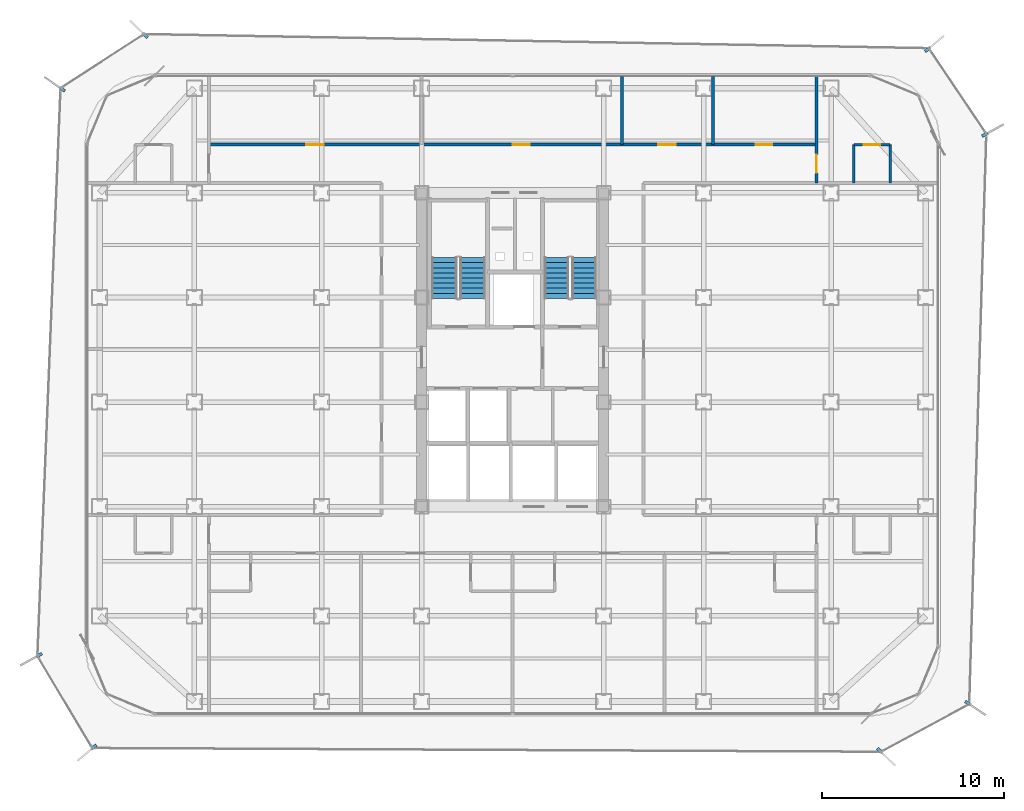
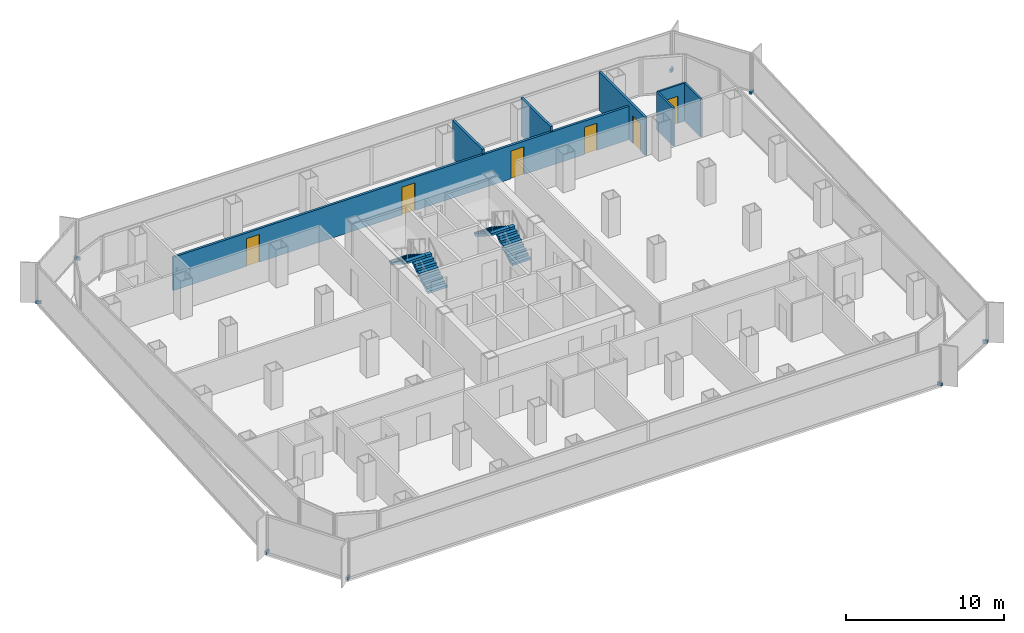
# One storey, part 18 of 21: 8 discrete accessories, 7 walls, 6 doors, 4 stair flights, 6 openings, 2 elements without a shape of their own.
"""IFC4 building model written with IfcOpenShell, lengths in metres."""

from ifc_helpers import new_model, si_unit, direction, frame, frame_2d, origin, origin_2d, place, context, subcontext, project, spatial, polyline, rectangle, outline, extrude, source, transform, mapped, material, layer, layer_set, type_object, element, fill, aggregate, save


model = new_model("IFC4")

# Units and contexts
model_context = context("Model", 3, precision=1e-05, world=origin(), true_north=direction((0.0, 1.0)))
body_context = subcontext(model_context, "Body", "Model", "MODEL_VIEW")
ifc_project = project(units=[si_unit("LENGTHUNIT", "METRE"), si_unit("AREAUNIT", "SQUARE_METRE"), si_unit("VOLUMEUNIT", "CUBIC_METRE"), si_unit("PLANEANGLEUNIT", "RADIAN"), si_unit("MASSUNIT", "GRAM", prefix="KILO")], contexts=[model_context])

# Site, building, storey
site_placement = place(None, origin())
site = spatial("IfcSite", under=ifc_project, at=site_placement, CompositionType="ELEMENT")
building_placement = place(site_placement, origin())
building = spatial("IfcBuilding", under=site, at=building_placement, Name="Kolveth Station Tower", CompositionType="ELEMENT")
storey_placement = place(building_placement, frame((0.0, 0.0, 92.699951171875)))
storey = spatial("IfcBuildingStorey", under=building, at=storey_placement, Name="L24", CompositionType="ELEMENT", Elevation=92.699951171875)

# Walls
ifc_material_1 = material(Name="Moisture-resistant gypsum partition")
ifc_layer_1 = layer(ifc_material_1, 0.135009765625)
ifc_layer_set_1 = layer_set([ifc_layer_1], Name="Moisture-resistant gypsum partition")
wall_type_1 = type_object("IfcWallType", Name="Wall_IW-135", PredefinedType="PARTITIONING", material=ifc_layer_set_1)
for number, where, z_axis, x_axis, name in (
    (1, (42.25, 29.300048828125, 0.0), (0.0, 0.0, 1.0), (0.0, 1.0, 0.0), "L24 Partition Wall WL-L24-ES2-BV1"),
    (2, (44.25, 29.300048828125, 0.0), (0.0, 0.0, 1.0), (0.0, 1.0, 0.0), "L24 Partition Wall WL-L24-ES2-BV2"),
):
    element("IfcWall", number, at=place(storey_placement, frame(where, z_axis=z_axis, x_axis=x_axis)), inside=storey, type_object=wall_type_1, Name=name, PredefinedType="PARTITIONING", context=body_context, shape_type="SweptSolid", body=[
        extrude(rectangle(XDim=2.099853515625, YDim=0.135009765625, at=frame_2d((1.0498046875, 0.0))), origin(), (0.0, 0.0, 1.0), 2.949951171875),
    ])

# Wall, opening, door
wall_1_placement = place(storey_placement, frame((42.25, 31.39990234375, 0.0), z_axis=(0.0, 0.0, 1.0), x_axis=(1.0, 0.0, 0.0)))
wall_1 = element("IfcWall", 3, at=wall_1_placement, inside=storey, type_object=wall_type_1, Name="L24 Partition Wall WL-L24-ES2-BH", PredefinedType="PARTITIONING", context=body_context, shape_type="SweptSolid", body=[
    extrude(rectangle(XDim=2.0, YDim=0.135009765625, at=frame_2d((1.0, 0.0))), origin(), (0.0, 0.0, 1.0), 2.949951171875),
])
opening_1_placement = place(wall_1_placement, frame((0.5400390625, 0.0, 0.0)))
opening_1 = element("IfcOpeningElement", 4, at=opening_1_placement, cuts=wall_1, Name="Opening ID2", PredefinedType="OPENING", context=body_context, shape_type="SweptSolid", body=[
    extrude(rectangle(XDim=0.919921875, YDim=2.10009765625, at=frame_2d((0.4599609375, 1.050048828125))), frame((0.0, 0.077392578125, 0.0), z_axis=(0.0, -1.0, 0.0), x_axis=(1.0, 0.0, 0.0)), (0.0, 0.0, 1.0), 0.155029296875),
])
ifc_material_2 = material(Name="Moisture-resistant hardwood leaf", Category="wood")
door_type_1 = type_object("IfcDoorType", Name="Door_ID2", OperationType="NOTDEFINED", PredefinedType="DOOR", material=ifc_material_2)
door_1_placement = place(opening_1_placement, frame((0.919921875, 0.0, 0.0), z_axis=(0.0, 0.0, 1.0), x_axis=(-1.0, 0.0, 0.0)))
door_1 = element("IfcDoor", 5, at=door_1_placement, inside=storey, type_object=door_type_1, Name="L24 Hotel Guest Room ES2 En-Suite Door", OperationType="SINGLE_SWING_LEFT", OverallHeight=2.10009765625, OverallWidth=0.919921875, PredefinedType="DOOR", context=body_context, shape_type="SweptSolid", body=[
    extrude(rectangle(XDim=0.919921875, YDim=2.10009765625, at=frame_2d((0.4599609375, 1.050048828125))), frame((0.0, 0.02490234375, 0.0), z_axis=(0.0, -1.0, 0.0), x_axis=(1.0, 0.0, 0.0)), (0.0, 0.0, 1.0), 0.050048828125),
])
fill(opening_1, door_1)

# Wall, openings, doors
ifc_material_3 = material(Name="Acoustic double-stud gypsum partition")
ifc_layer_2 = layer(ifc_material_3, 0.1650390625)
ifc_layer_set_2 = layer_set([ifc_layer_2], Name="Acoustic double-stud gypsum partition")
wall_type_2 = type_object("IfcWallType", Name="Wall_IW-165", PredefinedType="PARTITIONING", material=ifc_layer_set_2)
wall_2_placement = place(storey_placement, frame((6.800048828125, 31.39990234375, 0.0), z_axis=(0.0, 0.0, 1.0), x_axis=(1.0, 0.0, 0.0)))
wall_2 = element("IfcWall", 6, at=wall_2_placement, inside=storey, type_object=wall_type_2, Name="L24 Partition Wall WL-L24-HN", PredefinedType="PARTITIONING", context=body_context, shape_type="SweptSolid", body=[
    extrude(rectangle(XDim=33.39990234375, YDim=0.1650390625, at=frame_2d((16.699951171875, 0.0))), origin(), (0.0, 0.0, 1.0), 2.5830078125),
])
opening_2_placement = place(wall_2_placement, frame((5.35009765625, 0.0, 0.0)))
opening_2 = element("IfcOpeningElement", 7, at=opening_2_placement, cuts=wall_2, Name="Opening ID1", PredefinedType="OPENING", context=body_context, shape_type="SweptSolid", body=[
    extrude(rectangle(XDim=0.949951171875, YDim=2.14990234375, at=frame_2d((0.47509765625, 1.074951171875))), frame((0.0, 0.092529296875, 0.0), z_axis=(0.0, -1.0, 0.0), x_axis=(1.0, 0.0, 0.0)), (0.0, 0.0, 1.0), 0.18505859375),
])
opening_3_placement = place(wall_2_placement, frame((16.699951171875, 0.0, 0.0)))
opening_3 = element("IfcOpeningElement", 8, at=opening_3_placement, cuts=wall_2, Name="Opening ID1", PredefinedType="OPENING", context=body_context, shape_type="SweptSolid", body=[
    extrude(rectangle(XDim=0.949951171875, YDim=2.14990234375, at=frame_2d((0.47509765625, 1.074951171875))), frame((0.0, 0.092529296875, 0.0), z_axis=(0.0, -1.0, 0.0), x_axis=(1.0, 0.0, 0.0)), (0.0, 0.0, 1.0), 0.18505859375),
])
opening_4_placement = place(wall_2_placement, frame((24.699951171875, 0.0, 0.0)))
opening_4 = element("IfcOpeningElement", 9, at=opening_4_placement, cuts=wall_2, Name="Opening ID1", PredefinedType="OPENING", context=body_context, shape_type="SweptSolid", body=[
    extrude(rectangle(XDim=0.949951171875, YDim=2.14990234375, at=frame_2d((0.47509765625, 1.074951171875))), frame((0.0, 0.092529296875, 0.0), z_axis=(0.0, -1.0, 0.0), x_axis=(1.0, 0.0, 0.0)), (0.0, 0.0, 1.0), 0.18505859375),
])
opening_5_placement = place(wall_2_placement, frame((30.050048828125, 0.0, 0.0)))
opening_5 = element("IfcOpeningElement", 10, at=opening_5_placement, cuts=wall_2, Name="Opening ID2", PredefinedType="OPENING", context=body_context, shape_type="SweptSolid", body=[
    extrude(rectangle(XDim=0.919921875, YDim=2.10009765625, at=frame_2d((0.4599609375, 1.050048828125))), frame((0.0, 0.092529296875, 0.0), z_axis=(0.0, -1.0, 0.0), x_axis=(1.0, 0.0, 0.0)), (0.0, 0.0, 1.0), 0.18505859375),
])
ifc_material_4 = material(Name="Acoustic hardwood leaf and aluminium frame", Category="wood")
door_type_2 = type_object("IfcDoorType", Name="Door_ID1", OperationType="NOTDEFINED", PredefinedType="DOOR", material=ifc_material_4)
door_2_placement = place(opening_2_placement, origin())
door_2 = element("IfcDoor", 11, at=door_2_placement, inside=storey, type_object=door_type_2, Name="L24 Floor Service Pantry Door", OperationType="SINGLE_SWING_LEFT", OverallHeight=2.14990234375, OverallWidth=0.949951171875, PredefinedType="DOOR", context=body_context, shape_type="SweptSolid", body=[
    extrude(rectangle(XDim=0.949951171875, YDim=2.14990234375, at=frame_2d((0.47509765625, 1.074951171875))), frame((0.0, 0.02490234375, 0.0), z_axis=(0.0, -1.0, 0.0), x_axis=(1.0, 0.0, 0.0)), (0.0, 0.0, 1.0), 0.050048828125),
])
fill(opening_2, door_2)
door_3_placement = place(opening_3_placement, origin())
door_3 = element("IfcDoor", 12, at=door_3_placement, inside=storey, type_object=door_type_2, Name="L24 Guest Business Study Door", OperationType="SINGLE_SWING_RIGHT", OverallHeight=2.14990234375, OverallWidth=0.949951171875, PredefinedType="DOOR", context=body_context, shape_type="SweptSolid", body=[
    extrude(rectangle(XDim=0.949951171875, YDim=2.14990234375, at=frame_2d((0.47509765625, 1.074951171875))), frame((0.0, 0.02490234375, 0.0), z_axis=(0.0, -1.0, 0.0), x_axis=(1.0, 0.0, 0.0)), (0.0, 0.0, 1.0), 0.050048828125),
])
fill(opening_3, door_3)
door_4_placement = place(opening_4_placement, origin())
door_4 = element("IfcDoor", 13, at=door_4_placement, inside=storey, type_object=door_type_2, Name="L24 Valet Linen Store Door", OperationType="SINGLE_SWING_LEFT", OverallHeight=2.14990234375, OverallWidth=0.949951171875, PredefinedType="DOOR", context=body_context, shape_type="SweptSolid", body=[
    extrude(rectangle(XDim=0.949951171875, YDim=2.14990234375, at=frame_2d((0.47509765625, 1.074951171875))), frame((0.0, 0.02490234375, 0.0), z_axis=(0.0, -1.0, 0.0), x_axis=(1.0, 0.0, 0.0)), (0.0, 0.0, 1.0), 0.050048828125),
])
fill(opening_4, door_4)
door_5_placement = place(opening_5_placement, origin())
door_5 = element("IfcDoor", 14, at=door_5_placement, inside=storey, type_object=door_type_1, Name="L24 Accessible Guest WC Door", OperationType="SINGLE_SWING_RIGHT", OverallHeight=2.10009765625, OverallWidth=0.919921875, PredefinedType="DOOR", context=body_context, shape_type="SweptSolid", body=[
    extrude(rectangle(XDim=0.919921875, YDim=2.10009765625, at=frame_2d((0.4599609375, 1.050048828125))), frame((0.0, 0.02490234375, 0.0), z_axis=(0.0, -1.0, 0.0), x_axis=(1.0, 0.0, 0.0)), (0.0, 0.0, 1.0), 0.050048828125),
])
fill(opening_5, door_5)

# Wall, opening, door
wall_3_placement = place(storey_placement, frame((40.199951171875, 29.300048828125, 0.0), z_axis=(0.0, 0.0, 1.0), x_axis=(0.0, 1.0, 0.0)))
wall_3 = element("IfcWall", 15, at=wall_3_placement, inside=storey, type_object=wall_type_2, Name="L24 Partition Wall WL-L24-END-EN", PredefinedType="PARTITIONING", context=body_context, shape_type="SweptSolid", body=[
    extrude(rectangle(XDim=5.83984375, YDim=0.1650390625, at=frame_2d((2.919921875, 0.0))), origin(), (0.0, 0.0, 1.0), 2.949951171875),
])
opening_6_placement = place(wall_3_placement, frame((0.550048828125, 0.0, 0.0)))
opening_6 = element("IfcOpeningElement", 16, at=opening_6_placement, cuts=wall_3, Name="Opening FD3", PredefinedType="OPENING", context=body_context, shape_type="SweptSolid", body=[
    extrude(rectangle(XDim=1.0, YDim=2.14990234375, at=frame_2d((0.5, 1.074951171875))), frame((0.0, 0.092529296875, 0.0), z_axis=(0.0, -1.0, 0.0), x_axis=(1.0, 0.0, 0.0)), (0.0, 0.0, 1.0), 0.18505859375),
])
ifc_material_5 = material(Name="Fire-rated hardwood leaf and aluminium frame", Category="wood")
door_type_3 = type_object("IfcDoorType", Name="Door_FD3", OperationType="NOTDEFINED", PredefinedType="DOOR", material=ifc_material_5)
door_6_placement = place(opening_6_placement, frame((1.0, 0.0, 0.0), z_axis=(0.0, 0.0, 1.0), x_axis=(-1.0, 0.0, 0.0)))
door_6 = element("IfcDoor", 17, at=door_6_placement, inside=storey, type_object=door_type_3, Name="L24 Hotel Guest Room ES2 Entrance Door", OperationType="SINGLE_SWING_RIGHT", OverallHeight=2.14990234375, OverallWidth=1.0, PredefinedType="DOOR", context=body_context, shape_type="SweptSolid", body=[
    extrude(rectangle(XDim=1.0, YDim=2.14990234375, at=frame_2d((0.5, 1.074951171875))), frame((0.0, 0.02490234375, 0.0), z_axis=(0.0, -1.0, 0.0), x_axis=(1.0, 0.0, 0.0)), (0.0, 0.0, 1.0), 0.050048828125),
])
fill(opening_6, door_6)

# Walls
for number, where, z_axis, x_axis, name in (
    (18, (29.5, 31.39990234375, 0.0), (0.0, 0.0, 1.0), (0.0, 1.0, 0.0), "L24 Partition Wall WL-L24-HN-P2"),
    (19, (34.5, 31.39990234375, 0.0), (0.0, 0.0, 1.0), (0.0, 1.0, 0.0), "L24 Partition Wall WL-L24-HN-P3"),
):
    element("IfcWall", number, at=place(storey_placement, frame(where, z_axis=z_axis, x_axis=x_axis)), inside=storey, type_object=wall_type_2, Name=name, PredefinedType="PARTITIONING", context=body_context, shape_type="SweptSolid", body=[
        extrude(rectangle(XDim=3.739990234375, YDim=0.1650390625, at=frame_2d((1.8701171875, 0.0))), origin(), (0.0, 0.0, 1.0), 2.949951171875),
    ])

# Stair, stair flights
ifc_material_6 = material(Name="Concrete C40/50", Category="concrete")
stair_type_1 = type_object("IfcStairType", Name="Stair_ST1", PredefinedType="HALF_TURN_STAIR", material=ifc_material_6)
stair_1_placement = place(storey_placement, origin())
stair_1 = element("IfcStair", 20, at=stair_1_placement, inside=storey, type_object=stair_type_1, Name="L24 Tower Exit Stair ST1", PredefinedType="HALF_TURN_STAIR")
ifc_layer_3 = layer(ifc_material_6, 0.179931640625)
ifc_layer_set_3 = layer_set([ifc_layer_3], Name="Concrete C40/50")
stair_flight_type_1 = type_object("IfcStairFlightType", Name="Flight_ST1", PredefinedType="STRAIGHT", material=ifc_layer_set_3)
stair_flight_1_placement = place(storey_placement, frame((21.300048828125, 22.949951171875, 0.0), z_axis=(0.0, 0.0, 1.0), x_axis=(0.0, 1.0, 0.0)))
stair_flight_1 = element("IfcStairFlight", 21, at=stair_flight_1_placement, type_object=stair_flight_type_1, Name="ST1 flight 1", NumberOfRisers=9, NumberOfTreads=8, PredefinedType="STRAIGHT", RiserHeight=0.177777778, TreadLength=0.28, context=body_context, shape_type="SweptSolid", body=[
    extrude(outline(polyline([(0.0, 0.0), (0.0, 0.177734375), (0.280029296875, 0.177734375), (0.280029296875, 0.35546875), (0.56005859375, 0.35546875), (0.56005859375, 0.533447265625), (0.840087890625, 0.533447265625), (0.840087890625, 0.711181640625), (1.1201171875, 0.711181640625), (1.1201171875, 0.888916015625), (1.39990234375, 0.888916015625), (1.39990234375, 1.066650390625), (1.679931640625, 1.066650390625), (1.679931640625, 1.244384765625), (1.9599609375, 1.244384765625), (1.9599609375, 1.422119140625), (2.239990234375, 1.422119140625), (2.239990234375, 1.60009765625), (2.239990234375, 1.24462890625), (0.27978515625, 0.0), (0.0, 0.0)])), frame((0.0, 0.699951171875, 0.0), z_axis=(0.0, -1.0, 0.0), x_axis=(1.0, 0.0, 0.0)), (0.0, 0.0, 1.0), 1.39990234375),
])
stair_flight_2_placement = place(storey_placement, frame((19.739990234375, 25.18994140625, 1.60009765625), z_axis=(0.0, 0.0, 1.0), x_axis=(0.0, -1.0, 0.0)))
stair_flight_2 = element("IfcStairFlight", 22, at=stair_flight_2_placement, type_object=stair_flight_type_1, Name="ST1 flight 2", NumberOfRisers=9, NumberOfTreads=8, PredefinedType="STRAIGHT", RiserHeight=0.177777778, TreadLength=0.28, context=body_context, shape_type="SweptSolid", body=[
    extrude(outline(polyline([(0.0, 0.0), (0.0, 0.177734375), (0.280029296875, 0.177734375), (0.280029296875, 0.35546875), (0.56005859375, 0.35546875), (0.56005859375, 0.533447265625), (0.840087890625, 0.533447265625), (0.840087890625, 0.711181640625), (1.1201171875, 0.711181640625), (1.1201171875, 0.888916015625), (1.39990234375, 0.888916015625), (1.39990234375, 1.066650390625), (1.679931640625, 1.066650390625), (1.679931640625, 1.244384765625), (1.9599609375, 1.244384765625), (1.9599609375, 1.422119140625), (2.239990234375, 1.422119140625), (2.239990234375, 1.60009765625), (2.239990234375, 1.24462890625), (0.27978515625, 0.0), (0.0, 0.0)])), frame((0.0, 0.699951171875, 0.0), z_axis=(0.0, -1.0, 0.0), x_axis=(1.0, 0.0, 0.0)), (0.0, 0.0, 1.0), 1.39990234375),
])
aggregate(stair_1, [stair_flight_1, stair_flight_2])

stair_type_2 = type_object("IfcStairType", Name="Stair_ST2", PredefinedType="HALF_TURN_STAIR", material=ifc_material_6)
stair_2_placement = place(storey_placement, origin())
stair_2 = element("IfcStair", 23, at=stair_2_placement, inside=storey, type_object=stair_type_2, Name="L24 Tower Exit Stair ST2", PredefinedType="HALF_TURN_STAIR")
ifc_layer_4 = layer(ifc_material_6, 0.179931640625)
ifc_layer_set_4 = layer_set([ifc_layer_4], Name="Concrete C40/50")
stair_flight_type_2 = type_object("IfcStairFlightType", Name="Flight_ST2", PredefinedType="STRAIGHT", material=ifc_layer_set_4)
stair_flight_3_placement = place(storey_placement, frame((27.425048828125, 22.949951171875, 0.0), z_axis=(0.0, 0.0, 1.0), x_axis=(0.0, 1.0, 0.0)))
stair_flight_3 = element("IfcStairFlight", 24, at=stair_flight_3_placement, type_object=stair_flight_type_2, Name="ST2 flight 1", NumberOfRisers=9, NumberOfTreads=8, PredefinedType="STRAIGHT", RiserHeight=0.177777778, TreadLength=0.28, context=body_context, shape_type="SweptSolid", body=[
    extrude(outline(polyline([(0.0, 0.0), (0.0, 0.177734375), (0.280029296875, 0.177734375), (0.280029296875, 0.35546875), (0.56005859375, 0.35546875), (0.56005859375, 0.533447265625), (0.840087890625, 0.533447265625), (0.840087890625, 0.711181640625), (1.1201171875, 0.711181640625), (1.1201171875, 0.888916015625), (1.39990234375, 0.888916015625), (1.39990234375, 1.066650390625), (1.679931640625, 1.066650390625), (1.679931640625, 1.244384765625), (1.9599609375, 1.244384765625), (1.9599609375, 1.422119140625), (2.239990234375, 1.422119140625), (2.239990234375, 1.60009765625), (2.239990234375, 1.24462890625), (0.27978515625, 0.0), (0.0, 0.0)])), frame((0.0, 0.675048828125, 0.0), z_axis=(0.0, -1.0, 0.0), x_axis=(1.0, 0.0, 0.0)), (0.0, 0.0, 1.0), 1.35009765625),
])
stair_flight_4_placement = place(storey_placement, frame((25.9150390625, 25.18994140625, 1.60009765625), z_axis=(0.0, 0.0, 1.0), x_axis=(0.0, -1.0, 0.0)))
stair_flight_4 = element("IfcStairFlight", 25, at=stair_flight_4_placement, type_object=stair_flight_type_2, Name="ST2 flight 2", NumberOfRisers=9, NumberOfTreads=8, PredefinedType="STRAIGHT", RiserHeight=0.177777778, TreadLength=0.28, context=body_context, shape_type="SweptSolid", body=[
    extrude(outline(polyline([(0.0, 0.0), (0.0, 0.177734375), (0.280029296875, 0.177734375), (0.280029296875, 0.35546875), (0.56005859375, 0.35546875), (0.56005859375, 0.533447265625), (0.840087890625, 0.533447265625), (0.840087890625, 0.711181640625), (1.1201171875, 0.711181640625), (1.1201171875, 0.888916015625), (1.39990234375, 0.888916015625), (1.39990234375, 1.066650390625), (1.679931640625, 1.066650390625), (1.679931640625, 1.244384765625), (1.9599609375, 1.244384765625), (1.9599609375, 1.422119140625), (2.239990234375, 1.422119140625), (2.239990234375, 1.60009765625), (2.239990234375, 1.24462890625), (0.27978515625, 0.0), (0.0, 0.0)])), frame((0.0, 0.675048828125, 0.0), z_axis=(0.0, -1.0, 0.0), x_axis=(1.0, 0.0, 0.0)), (0.0, 0.0, 1.0), 1.35009765625),
])
aggregate(stair_2, [stair_flight_3, stair_flight_4])

# Discrete accessories
ifc_material_7 = material(Name="Steel S355", Category="steel")
discrete_accessory_type = type_object("IfcDiscreteAccessoryType", Name="Bracket_BK1", PredefinedType="BRACKET", material=ifc_material_7)
shared_shape = source(origin(), body_context, "Body", "SweptSolid", [
    extrude(rectangle(XDim=0.35009765625, YDim=0.159912109375, at=origin_2d()), origin(), (0.0, 0.0, 1.0), 0.219970703125),
])
for number, where, z_axis, x_axis, name in (
    (26, (43.6708984375, -1.908935546875, -0.06005859375), (0.0, 0.0, 1.0), (0.717883334625, -0.696163427557, 0.0), "L24 Double-Skin Radial Tie Bracket 1"),
    (27, (48.51806640625, 0.700927734375, -0.06005859375), (0.0, 0.0, 1.0), (0.827864584251, -0.560928007986, 0.0), "L24 Double-Skin Radial Tie Bracket 2"),
    (28, (49.451904296875, 31.950927734375, -0.06005859375), (0.0, 0.0, 1.0), (0.875801708379, 0.482671075992, 0.0), "L24 Double-Skin Radial Tie Bracket 3"),
    (29, (46.301025390625, 36.6279296875, -0.06005859375), (0.0, 0.0, 1.0), (0.768618578918, 0.639707339446, 0.0), "L24 Double-Skin Radial Tie Bracket 4"),
    (30, (3.305908203125, 37.39697265625, -0.06005859375), (0.0, 0.0, 1.0), (-0.714960962638, 0.699164374023, 0.0), "L24 Double-Skin Radial Tie Bracket 5"),
    (31, (-1.260986328125, 34.450927734375, -0.06005859375), (0.0, 0.0, 1.0), (-0.827472780913, 0.561505829755, 0.0), "L24 Double-Skin Radial Tie Bracket 6"),
    (32, (-2.530029296875, 3.339111328125, -0.06005859375), (0.0, 0.0, 1.0), (-0.876306680044, -0.481753674102, 0.0), "L24 Double-Skin Radial Tie Bracket 7"),
    (33, (0.48193359375, -1.70703125, -0.06005859375), (0.0, 0.0, 1.0), (-0.7653708976, -0.643589456957, 0.0), "L24 Double-Skin Radial Tie Bracket 8"),
):
    element("IfcDiscreteAccessory", number, at=place(storey_placement, frame(where, z_axis=z_axis, x_axis=x_axis)), inside=storey, type_object=discrete_accessory_type, Name=name, PredefinedType="BRACKET", context=body_context, shape_type="MappedRepresentation", body=[
        mapped(shared_shape, transform((0.0, 0.0, 0.0), x_axis=(1.0, 0.0, 0.0), y_axis=(0.0, 1.0, 0.0), z_axis=(0.0, 0.0, 1.0), scale=1.0)),
    ])

save(model, "model.ifc")
